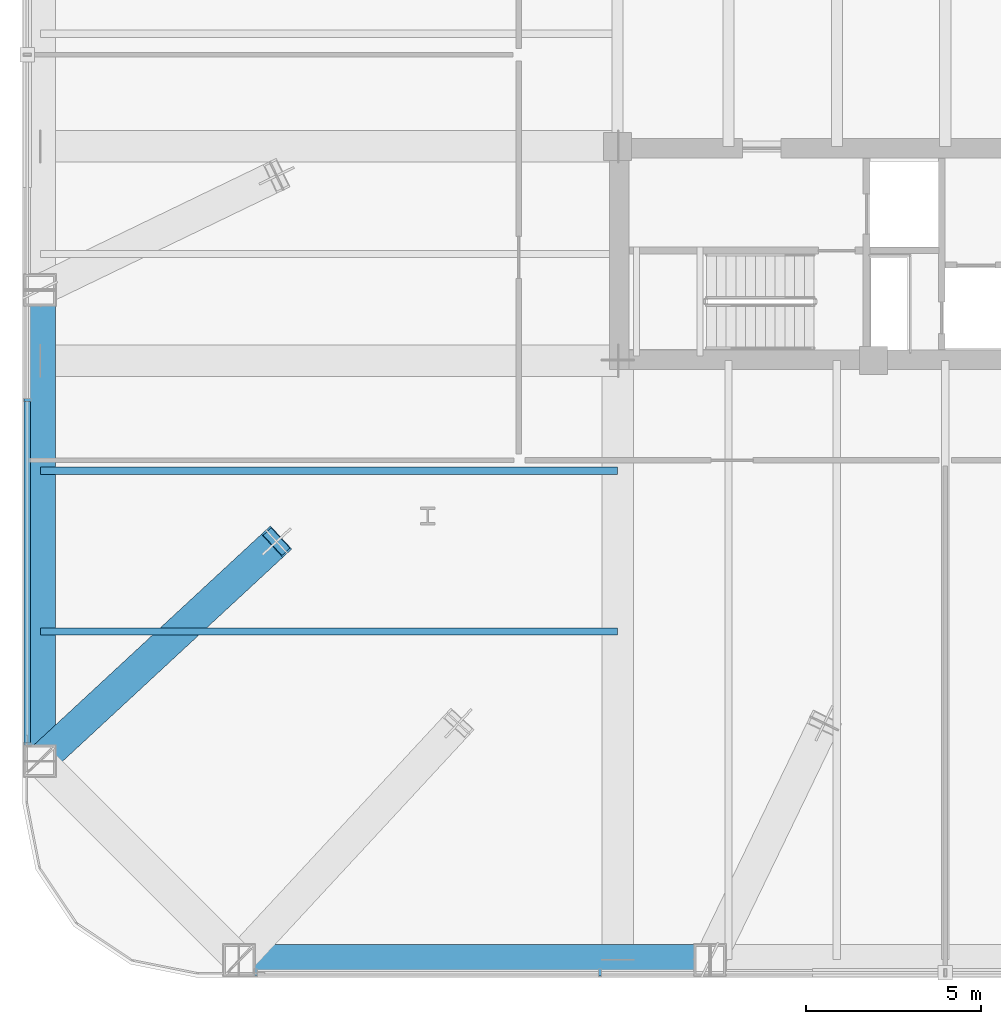
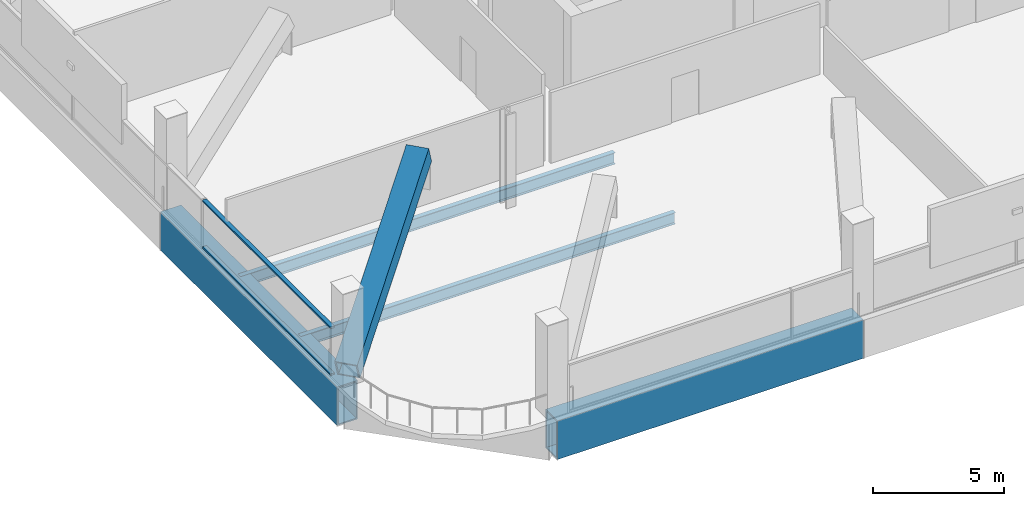
# One storey, part 3 of 38: 4 beams, 3 members, 1 element without a shape of its own.
"""IFC4 building model written with IfcOpenShell, lengths in metres."""

from ifc_helpers import new_model, si_unit, direction, frame, origin, origin_2d, place, context, subcontext, project, spatial, hollow_rectangle, i_section, extrude, material, layer, layer_set, material_profile, profile_set, type_object, element, aggregate, save


model = new_model("IFC4")

# Units and contexts
model_context = context("Model", 3, precision=1e-05, world=origin(), true_north=direction((0.0, 1.0)))
body_context = subcontext(model_context, "Body", "Model", "MODEL_VIEW")
ifc_project = project(units=[si_unit("LENGTHUNIT", "METRE"), si_unit("AREAUNIT", "SQUARE_METRE"), si_unit("VOLUMEUNIT", "CUBIC_METRE"), si_unit("PLANEANGLEUNIT", "RADIAN"), si_unit("MASSUNIT", "GRAM", prefix="KILO")], contexts=[model_context])

# Site, building, storey
site_placement = place(None, origin())
site = spatial("IfcSite", under=ifc_project, at=site_placement, CompositionType="ELEMENT")
building_placement = place(site_placement, origin())
building = spatial("IfcBuilding", under=site, at=building_placement, Name="Qhalaya Broadcast Tower", CompositionType="ELEMENT")
storey_placement = place(building_placement, frame((0.0, 0.0, 53.550048828125)))
storey = spatial("IfcBuildingStorey", under=building, at=storey_placement, Name="L15", CompositionType="ELEMENT", Elevation=53.550048828125)

# Beams
ifc_material_1 = material(Name="Structural Steel ASTM A572 Grade 50", Category="steel")
ifc_material_profile_1 = material_profile(ifc_material_1, hollow_rectangle(XDim=0.89990234375, YDim=1.800048828125, WallThickness=0.06005859375, at=origin_2d()), Name="BOX 900x1800x60")
ifc_profile_set_1 = profile_set([ifc_material_profile_1], Name="Structural Steel ASTM A572 Grade 50")
beam_type_1 = type_object("IfcBeamType", Name="Block Cantilever Transfer Box Girder TG1", PredefinedType="USERDEFINED", material=ifc_profile_set_1)
for number, where, z_axis, x_axis, name in (
    (1, (-20.199951171875, -25.89990234375, -1.1201171875), (1.0, 0.0, 0.0), (0.0, 1.0, 0.0), "L15 TG1 L15-SPR-01"),
    (2, (-25.89990234375, -6.7333984375, -1.1201171875), (0.0, -1.0, 0.0), (1.0, 0.0, 0.0), "L15 TG1 L15-SPR-15"),
):
    element("IfcBeam", number, at=place(storey_placement, frame(where, z_axis=z_axis, x_axis=x_axis)), inside=storey, type_object=beam_type_1, Name=name, ObjectType="GIRDER", PredefinedType="USERDEFINED", context=body_context, shape_type="SweptSolid", body=[
        extrude(hollow_rectangle(XDim=0.89990234375, YDim=1.800048828125, WallThickness=0.06005859375, at=origin_2d()), origin(), (0.0, 0.0, 1.0), 13.466552734375),
    ])
ifc_material_2 = material(Name="Structural Steel ASTM A992 Grade 50", Category="steel")
ifc_material_profile_2 = material_profile(ifc_material_2, i_section(OverallWidth=0.2099609375, OverallDepth=0.535888671875, WebThickness=0.010986328125, FlangeThickness=0.017333984375, at=origin_2d()), Name="W21X68")
ifc_profile_set_2 = profile_set([ifc_material_profile_2], Name="Structural Steel ASTM A992 Grade 50")
beam_type_2 = type_object("IfcBeamType", Name="Composite Floor Joist J02", PredefinedType="JOIST", material=ifc_profile_set_2)
for number, where, z_axis, x_axis, name in (
    (3, (-25.8798828125, -16.5, -0.488037109375), (1.0, 0.0, 0.0), (0.0, 1.0, 0.0), "L15 J02 L15-JWE1W-1"),
    (4, (-25.8798828125, -11.89990234375, -0.488037109375), (1.0, 0.0, 0.0), (0.0, 1.0, 0.0), "L15 J02 L15-JWE2W-1"),
):
    element("IfcBeam", number, at=place(storey_placement, frame(where, z_axis=z_axis, x_axis=x_axis)), inside=storey, type_object=beam_type_2, Name=name, PredefinedType="JOIST", context=body_context, shape_type="SweptSolid", body=[
        extrude(i_section(OverallWidth=0.2099609375, OverallDepth=0.535888671875, WebThickness=0.010986328125, FlangeThickness=0.017333984375, at=origin_2d()), origin(), (0.0, 0.0, 1.0), 16.5048828125),
    ])

# Member
ifc_material_profile_3 = material_profile(ifc_material_1, hollow_rectangle(XDim=0.89990234375, YDim=0.89990234375, WallThickness=0.054931640625, at=origin_2d()), Name="BOX 900x900x55")
ifc_profile_set_3 = profile_set([ifc_material_profile_3], Name="Structural Steel ASTM A572 Grade 50")
member_type_1 = type_object("IfcMemberType", Name="Heavy Exoskeleton Transfer Strut RK1", PredefinedType="BRACE", material=ifc_profile_set_3)
member_1_placement = place(storey_placement, frame((-25.89990234375, -20.199951171875, 0.424072265625), z_axis=(0.675120758282, 0.625259693985, 0.391487262646), x_axis=(-0.679494552667, 0.73368055235, 0.0)))
element("IfcMember", 5, at=member_1_placement, inside=storey, type_object=member_type_1, Name="L15 Inclined Exoskeleton Transfer Strut 16", PredefinedType="BRACE", context=body_context, shape_type="SweptSolid", body=[
    extrude(hollow_rectangle(XDim=0.89990234375, YDim=0.89990234375, WallThickness=0.054931640625, at=origin_2d()), origin(), (0.0, 0.0, 1.0), 10.02783203125),
])

# Curtain wall, members
ifc_material_3 = material(Name="Fired Architectural Terracotta", Category="masonry")
ifc_layer = layer(ifc_material_3, 0.219970703125, Name="Fired Architectural Terracotta")
ifc_layer_set = layer_set([ifc_layer], Name="Fired Architectural Terracotta")
curtain_wall_type = type_object("IfcCurtainWallType", Name="Block-Cap Unitised Terracotta Spandrel Wall CW-07", PredefinedType="NOTDEFINED", material=ifc_layer_set)
curtain_wall_placement = place(storey_placement, origin())
curtain_wall = element("IfcCurtainWall", 6, at=curtain_wall_placement, inside=storey, type_object=curtain_wall_type, Name="L15 Unitised Curtain Wall L15-CW-W", PredefinedType="NOTDEFINED")
ifc_material_4 = material(Name="Anodised Aluminium 6063-T6", Category="aluminium")
ifc_material_profile_4 = material_profile(ifc_material_4, hollow_rectangle(XDim=0.074951171875, YDim=0.179931640625, WallThickness=0.00390625, at=origin_2d()), Name="ALU-TRN 75x180x4")
ifc_profile_set_4 = profile_set([ifc_material_profile_4], Name="Anodised Aluminium 6063-T6")
member_type_2 = type_object("IfcMemberType", Name="Unitised Curtain-Wall Transom T01", PredefinedType="USERDEFINED", material=ifc_profile_set_4)
member_2_placement = place(storey_placement, frame((-26.260009765625, -19.68701171875, 0.037353515625), z_axis=(0.0, 1.0, 0.0), x_axis=(0.0, 0.0, 1.0)))
member_2 = element("IfcMember", 7, at=member_2_placement, type_object=member_type_2, Name="CW-07 transom 1.1", ObjectType="TRANSOM", PredefinedType="USERDEFINED", context=body_context, shape_type="SweptSolid", body=[
    extrude(hollow_rectangle(XDim=0.074951171875, YDim=0.179931640625, WallThickness=0.00390625, at=origin_2d()), origin(), (0.0, 0.0, 1.0), 9.7685546875),
])
member_3_placement = place(storey_placement, frame((-26.260009765625, -19.68701171875, 2.21240234375), z_axis=(0.0, 1.0, 0.0), x_axis=(0.0, 0.0, 1.0)))
member_3 = element("IfcMember", 8, at=member_3_placement, type_object=member_type_2, Name="CW-07 transom 1.2", ObjectType="TRANSOM", PredefinedType="USERDEFINED", context=body_context, shape_type="SweptSolid", body=[
    extrude(hollow_rectangle(XDim=0.074951171875, YDim=0.179931640625, WallThickness=0.00390625, at=origin_2d()), origin(), (0.0, 0.0, 1.0), 9.7685546875),
])
aggregate(curtain_wall, [member_2, member_3])

save(model, "model.ifc")
